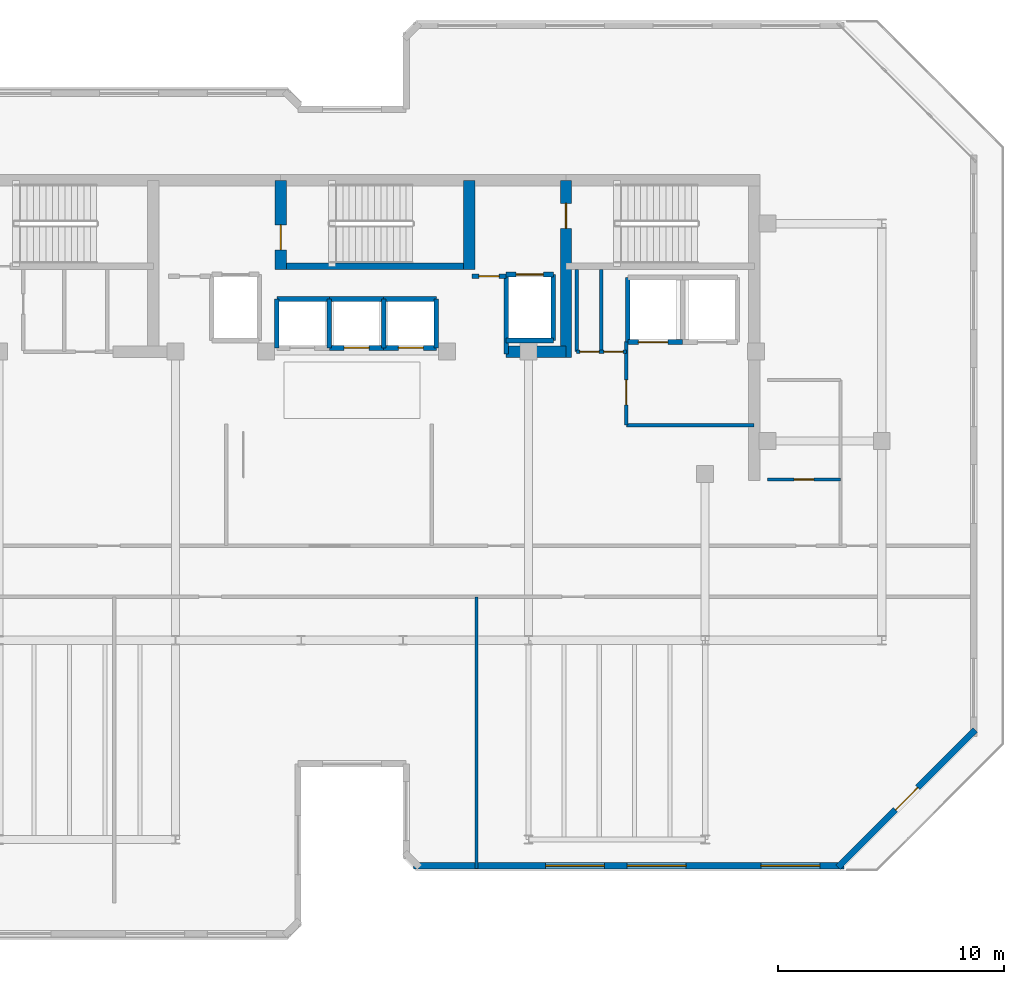
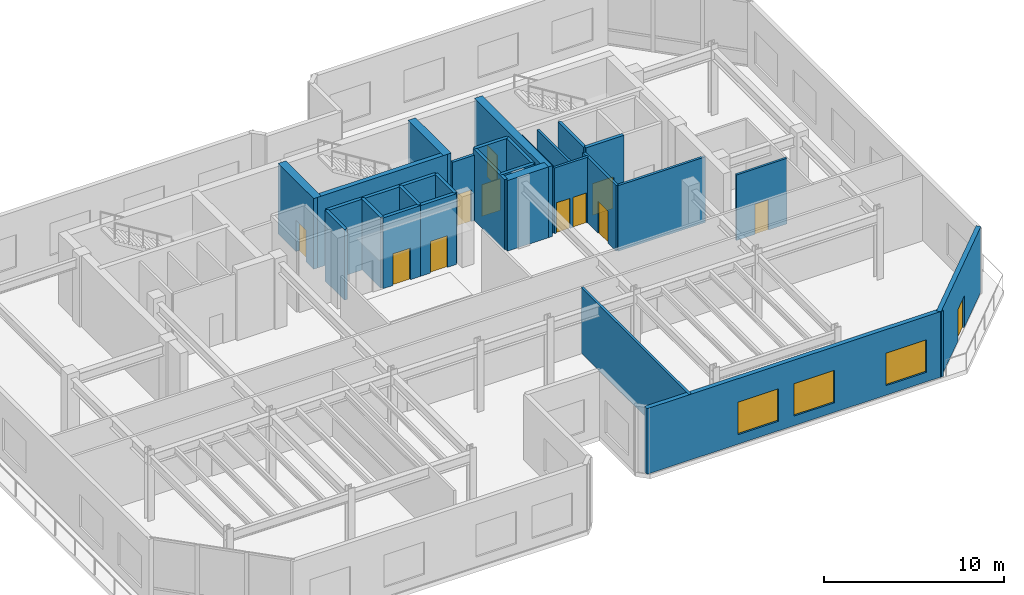
# One storey, part 7 of 12: 30 walls, 12 doors, 3 windows, 15 openings.
"""IFC4 building model written with IfcOpenShell, lengths in metres."""

from ifc_helpers import new_model, si_unit, direction, frame, frame_2d, origin, place, context, subcontext, project, spatial, rectangle, extrude, material, layer, layer_set, type_object, element, fill, save


model = new_model("IFC4")

# Units and contexts
model_context = context("Model", 3, precision=1e-05, world=origin(), true_north=direction((0.0, 1.0)))
body_context = subcontext(model_context, "Body", "Model", "MODEL_VIEW")
ifc_project = project(units=[si_unit("LENGTHUNIT", "METRE"), si_unit("AREAUNIT", "SQUARE_METRE"), si_unit("VOLUMEUNIT", "CUBIC_METRE"), si_unit("PLANEANGLEUNIT", "RADIAN"), si_unit("MASSUNIT", "GRAM", prefix="KILO")], contexts=[model_context])

# Site, building, storey
site_placement = place(None, origin())
site = spatial("IfcSite", under=ifc_project, at=site_placement, CompositionType="ELEMENT")
building_placement = place(site_placement, origin())
building = spatial("IfcBuilding", under=site, at=building_placement, Name="Kestravale Grand Hotel", CompositionType="ELEMENT")
storey_placement = place(building_placement, frame((0.0, 0.0, 306.60009765625)))
storey = spatial("IfcBuildingStorey", under=building, at=storey_placement, Name="L76", CompositionType="ELEMENT", Elevation=306.60009765625)

# Wall
ifc_material_1 = material(Name="Concrete f'c 50 MPa", Category="concrete")
ifc_layer_1 = layer(ifc_material_1, 0.5)
ifc_layer_set_1 = layer_set([ifc_layer_1], Name="EW-CORE-500")
wall_type_1 = type_object("IfcWallType", Name="EW-CORE-500", PredefinedType="SHEAR", material=ifc_layer_set_1)
wall_1_placement = place(storey_placement, frame((45.81005859375, 32.75, 0.0), z_axis=(0.0, 0.0, 1.0), x_axis=(1.0, 0.0, 0.0)))
element("IfcWall", 1, at=wall_1_placement, inside=storey, type_object=wall_type_1, Name="L76 core shear wall S2", PredefinedType="SHEAR", context=body_context, shape_type="SweptSolid", body=[
    extrude(rectangle(XDim=2.639892578125, YDim=0.5, at=frame_2d((1.31982421875, 0.0))), origin(), (0.0, 0.0, 1.0), 4.7998046875),
])

# Wall, opening, door
wall_2_placement = place(storey_placement, frame((35.85009765625, 36.3701171875, 0.0), z_axis=(0.0, 0.0, 1.0), x_axis=(0.0, 1.0, 0.0)))
wall_2 = element("IfcWall", 2, at=wall_2_placement, inside=storey, type_object=wall_type_1, Name="L76 core shear wall X2", PredefinedType="SHEAR", context=body_context, shape_type="SweptSolid", body=[
    extrude(rectangle(XDim=3.949951171875, YDim=0.5, at=frame_2d((1.97509765625, 0.0))), origin(), (0.0, 0.0, 1.0), 4.7998046875),
])
opening_1_placement = place(wall_2_placement, frame((0.8798828125, 0.0, 0.0)))
opening_1 = element("IfcOpeningElement", 3, at=opening_1_placement, cuts=wall_2, Name="Opening D-ST-1100", PredefinedType="OPENING", context=body_context, shape_type="SweptSolid", body=[
    extrude(rectangle(XDim=1.10009765625, YDim=2.14990234375, at=frame_2d((0.550048828125, 1.074951171875))), frame((0.0, 0.260009765625, 0.0), z_axis=(0.0, -1.0, 0.0), x_axis=(1.0, 0.0, 0.0)), (0.0, 0.0, 1.0), 0.52001953125),
])
ifc_material_2 = material(Name="Galvanised 90-minute fire-rated steel stair door", Category="steel")
door_type_1 = type_object("IfcDoorType", Name="D-ST-1100", OperationType="NOTDEFINED", PredefinedType="DOOR", material=ifc_material_2)
door_1_placement = place(opening_1_placement, origin())
door_1 = element("IfcDoor", 4, at=door_1_placement, inside=storey, type_object=door_type_1, Name="L76 Stair ST-2 FSAE fire door", OperationType="SINGLE_SWING_RIGHT", OverallHeight=2.14990234375, OverallWidth=1.10009765625, PredefinedType="DOOR", context=body_context, shape_type="SweptSolid", body=[
    extrude(rectangle(XDim=1.10009765625, YDim=2.14990234375, at=frame_2d((0.550048828125, 1.074951171875))), frame((0.0, 0.02490234375, 0.0), z_axis=(0.0, -1.0, 0.0), x_axis=(1.0, 0.0, 0.0)), (0.0, 0.0, 1.0), 0.050048828125),
])
fill(opening_1, door_1)

# Wall
wall_3_placement = place(storey_placement, frame((44.179931640625, 36.3701171875, 0.0), z_axis=(0.0, 0.0, 1.0), x_axis=(0.0, 1.0, 0.0)))
element("IfcWall", 5, at=wall_3_placement, inside=storey, type_object=wall_type_1, Name="L76 core shear wall X3", PredefinedType="SHEAR", context=body_context, shape_type="SweptSolid", body=[
    extrude(rectangle(XDim=3.949951171875, YDim=0.5, at=frame_2d((1.97509765625, 0.0))), origin(), (0.0, 0.0, 1.0), 4.7998046875),
])

# Wall, opening, door
wall_4_placement = place(storey_placement, frame((48.449951171875, 32.5, 0.0), z_axis=(0.0, 0.0, 1.0), x_axis=(0.0, 1.0, 0.0)))
wall_4 = element("IfcWall", 6, at=wall_4_placement, inside=storey, type_object=wall_type_1, Name="L76 core shear wall X4", PredefinedType="SHEAR", context=body_context, shape_type="SweptSolid", body=[
    extrude(rectangle(XDim=7.820068359375, YDim=0.5, at=frame_2d((3.91015625, 0.0))), origin(), (0.0, 0.0, 1.0), 4.7998046875),
])
opening_2_placement = place(wall_4_placement, frame((5.699951171875, 0.0, 0.0)))
opening_2 = element("IfcOpeningElement", 7, at=opening_2_placement, cuts=wall_4, Name="Opening D-ST-1100", PredefinedType="OPENING", context=body_context, shape_type="SweptSolid", body=[
    extrude(rectangle(XDim=1.10009765625, YDim=2.14990234375, at=frame_2d((0.550048828125, 1.074951171875))), frame((0.0, 0.260009765625, 0.0), z_axis=(0.0, -1.0, 0.0), x_axis=(1.0, 0.0, 0.0)), (0.0, 0.0, 1.0), 0.52001953125),
])
door_2_placement = place(opening_2_placement, origin())
door_2 = element("IfcDoor", 8, at=door_2_placement, inside=storey, type_object=door_type_1, Name="L76 Stair ST-3 FSAE fire door", OperationType="SINGLE_SWING_RIGHT", OverallHeight=2.14990234375, OverallWidth=1.10009765625, PredefinedType="DOOR", context=body_context, shape_type="SweptSolid", body=[
    extrude(rectangle(XDim=1.10009765625, YDim=2.14990234375, at=frame_2d((0.550048828125, 1.074951171875))), frame((0.0, 0.02490234375, 0.0), z_axis=(0.0, -1.0, 0.0), x_axis=(1.0, 0.0, 0.0)), (0.0, 0.0, 1.0), 0.050048828125),
])
fill(opening_2, door_2)

# Wall, openings, windows
ifc_material_3 = material(Name="Precast concrete f'c 45 MPa", Category="concrete")
ifc_layer_2 = layer(ifc_material_3, 0.280029296875)
ifc_layer_set_2 = layer_set([ifc_layer_2], Name="EW-PREC-280")
wall_type_2 = type_object("IfcWallType", Name="EW-PREC-280", PredefinedType="SOLIDWALL", material=ifc_layer_set_2)
wall_5_placement = place(storey_placement, frame((41.7099609375, 10.0400390625, 0.0), z_axis=(0.0, 0.0, 1.0), x_axis=(1.0, 0.0, 0.0)))
wall_5 = element("IfcWall", 9, at=wall_5_placement, inside=storey, type_object=wall_type_2, Name="L76 fluted precast facade wall 7", PredefinedType="SOLIDWALL", context=body_context, shape_type="SweptSolid", body=[
    extrude(rectangle(XDim=19.030029296875, YDim=0.280029296875, at=frame_2d((9.51513671875, 0.0))), origin(), (0.0, 0.0, 1.0), 4.449951171875),
])
opening_3_placement = place(wall_5_placement, frame((5.836181640625, 0.0, 0.64990234375)))
opening_3 = element("IfcOpeningElement", 10, at=opening_3_placement, cuts=wall_5, Name="Opening W-SKY-2600", PredefinedType="OPENING", context=body_context, shape_type="SweptSolid", body=[
    extrude(rectangle(XDim=2.60009765625, YDim=2.199951171875, at=frame_2d((1.300048828125, 1.10009765625))), frame((0.0, 0.14990234375, 0.0), z_axis=(0.0, -1.0, 0.0), x_axis=(1.0, 0.0, 0.0)), (0.0, 0.0, 1.0), 0.300048828125),
])
opening_4_placement = place(wall_5_placement, frame((9.443603515625, 0.0, 0.64990234375)))
opening_4 = element("IfcOpeningElement", 11, at=opening_4_placement, cuts=wall_5, Name="Opening W-SKY-2600", PredefinedType="OPENING", context=body_context, shape_type="SweptSolid", body=[
    extrude(rectangle(XDim=2.60009765625, YDim=2.199951171875, at=frame_2d((1.300048828125, 1.10009765625))), frame((0.0, 0.14990234375, 0.0), z_axis=(0.0, -1.0, 0.0), x_axis=(1.0, 0.0, 0.0)), (0.0, 0.0, 1.0), 0.300048828125),
])
opening_5_placement = place(wall_5_placement, frame((15.351318359375, 0.0, 0.64990234375)))
opening_5 = element("IfcOpeningElement", 12, at=opening_5_placement, cuts=wall_5, Name="Opening W-SKY-2600", PredefinedType="OPENING", context=body_context, shape_type="SweptSolid", body=[
    extrude(rectangle(XDim=2.60009765625, YDim=2.199951171875, at=frame_2d((1.300048828125, 1.10009765625))), frame((0.0, 0.14990234375, 0.0), z_axis=(0.0, -1.0, 0.0), x_axis=(1.0, 0.0, 0.0)), (0.0, 0.0, 1.0), 0.300048828125),
])
ifc_material_4 = material(Name="Insulated low-E double glazing in aluminium frame", Category="aluminium")
window_type = type_object("IfcWindowType", Name="W-SKY-2600", PartitioningType="TRIPLE_PANEL_VERTICAL", PredefinedType="WINDOW", material=ifc_material_4)
window_1_placement = place(opening_3_placement, origin())
window_1 = element("IfcWindow", 13, at=window_1_placement, inside=storey, type_object=window_type, Name="L76 exterior window 7.1", OverallHeight=2.199951171875, OverallWidth=2.60009765625, PartitioningType="SINGLE_PANEL", PredefinedType="WINDOW", context=body_context, shape_type="SweptSolid", body=[
    extrude(rectangle(XDim=2.60009765625, YDim=2.199951171875, at=frame_2d((1.300048828125, 1.10009765625))), frame((0.0, 0.030029296875, 0.0), z_axis=(0.0, -1.0, 0.0), x_axis=(1.0, 0.0, 0.0)), (0.0, 0.0, 1.0), 0.06005859375),
])
fill(opening_3, window_1)
window_2_placement = place(opening_4_placement, origin())
window_2 = element("IfcWindow", 14, at=window_2_placement, inside=storey, type_object=window_type, Name="L76 exterior window 7.2", OverallHeight=2.199951171875, OverallWidth=2.60009765625, PartitioningType="SINGLE_PANEL", PredefinedType="WINDOW", context=body_context, shape_type="SweptSolid", body=[
    extrude(rectangle(XDim=2.60009765625, YDim=2.199951171875, at=frame_2d((1.300048828125, 1.10009765625))), frame((0.0, 0.030029296875, 0.0), z_axis=(0.0, -1.0, 0.0), x_axis=(1.0, 0.0, 0.0)), (0.0, 0.0, 1.0), 0.06005859375),
])
fill(opening_4, window_2)
window_3_placement = place(opening_5_placement, origin())
window_3 = element("IfcWindow", 15, at=window_3_placement, inside=storey, type_object=window_type, Name="L76 exterior window 7.3", OverallHeight=2.199951171875, OverallWidth=2.60009765625, PartitioningType="SINGLE_PANEL", PredefinedType="WINDOW", context=body_context, shape_type="SweptSolid", body=[
    extrude(rectangle(XDim=2.60009765625, YDim=2.199951171875, at=frame_2d((1.300048828125, 1.10009765625))), frame((0.0, 0.030029296875, 0.0), z_axis=(0.0, -1.0, 0.0), x_axis=(1.0, 0.0, 0.0)), (0.0, 0.0, 1.0), 0.06005859375),
])
fill(opening_5, window_3)

# Wall, opening, door
wall_6_placement = place(storey_placement, frame((60.47265625, 9.970703125, 0.0), z_axis=(0.0, 0.0, 1.0), x_axis=(0.707106781187, 0.707106781187, 0.0)))
wall_6 = element("IfcWall", 16, at=wall_6_placement, inside=storey, type_object=wall_type_2, Name="L76 fluted precast facade wall 8", PredefinedType="SOLIDWALL", context=body_context, shape_type="SweptSolid", body=[
    extrude(rectangle(XDim=8.5654296875, YDim=0.280029296875, at=frame_2d((4.28271484375, 0.0))), origin(), (0.0, 0.0, 1.0), 4.449951171875),
])
opening_6_placement = place(wall_6_placement, frame((3.582763671875, 0.0, 0.0)))
opening_6 = element("IfcOpeningElement", 17, at=opening_6_placement, cuts=wall_6, Name="Opening D-TERR-1400", PredefinedType="OPENING", context=body_context, shape_type="SweptSolid", body=[
    extrude(rectangle(XDim=1.39990234375, YDim=2.14990234375, at=frame_2d((0.699951171875, 1.074951171875))), frame((0.0, 0.14990234375, 0.0), z_axis=(0.0, -1.0, 0.0), x_axis=(1.0, 0.0, 0.0)), (0.0, 0.0, 1.0), 0.300048828125),
])
ifc_material_5 = material(Name="Insulated glazed champagne-bronze aluminium door", Category="aluminium")
door_type_2 = type_object("IfcDoorType", Name="D-TERR-1400", OperationType="NOTDEFINED", PredefinedType="DOOR", material=ifc_material_5)
door_3_placement = place(opening_6_placement, origin())
door_3 = element("IfcDoor", 18, at=door_3_placement, inside=storey, type_object=door_type_2, Name="L76 outdoor garden terrace door", OperationType="DOUBLE_DOOR_SINGLE_SWING", OverallHeight=2.14990234375, OverallWidth=1.39990234375, PredefinedType="DOOR", context=body_context, shape_type="SweptSolid", body=[
    extrude(rectangle(XDim=1.39990234375, YDim=2.14990234375, at=frame_2d((0.699951171875, 1.074951171875))), frame((0.0, 0.02490234375, 0.0), z_axis=(0.0, -1.0, 0.0), x_axis=(1.0, 0.0, 0.0)), (0.0, 0.0, 1.0), 0.050048828125),
])
fill(opening_6, door_3)

# Wall
ifc_material_6 = material(Name="Concrete f'c 45 MPa", Category="concrete")
ifc_layer_3 = layer(ifc_material_6, 0.300048828125)
ifc_layer_set_3 = layer_set([ifc_layer_3], Name="EW-STAIR-300")
wall_type_3 = type_object("IfcWallType", Name="EW-STAIR-300", PredefinedType="SHEAR", material=ifc_layer_set_3)
wall_7_placement = place(storey_placement, frame((35.85009765625, 36.52001953125, 0.0), z_axis=(0.0, 0.0, 1.0), x_axis=(1.0, 0.0, 0.0)))
element("IfcWall", 19, at=wall_7_placement, inside=storey, type_object=wall_type_3, Name="L76 stair enclosure shear wall SST2", PredefinedType="SHEAR", context=body_context, shape_type="SweptSolid", body=[
    extrude(rectangle(XDim=8.329833984375, YDim=0.300048828125, at=frame_2d((4.1650390625, 0.0))), origin(), (0.0, 0.0, 1.0), 4.7998046875),
])

# Wall, opening, door
ifc_material_7 = material(Name="Acoustic fire-rated gypsum board partition", Category="other")
ifc_layer_4 = layer(ifc_material_7, 0.159912109375)
ifc_layer_set_4 = layer_set([ifc_layer_4], Name="IW-CORR-160")
wall_type_4 = type_object("IfcWallType", Name="IW-CORR-160", PredefinedType="PARTITIONING", material=ifc_layer_set_4)
wall_8_placement = place(storey_placement, frame((51.1201171875, 29.5, 0.0), z_axis=(0.0, 0.0, 1.0), x_axis=(0.0, 1.0, 0.0)))
wall_8 = element("IfcWall", 20, at=wall_8_placement, inside=storey, type_object=wall_type_4, Name="W-L76-SVCLOB-W", PredefinedType="PARTITIONING", context=body_context, shape_type="SweptSolid", body=[
    extrude(rectangle(XDim=3.699951171875, YDim=0.159912109375, at=frame_2d((1.85009765625, 0.0))), origin(), (0.0, 0.0, 1.0), 4.449951171875),
])
opening_7_placement = place(wall_8_placement, frame((0.89990234375, 0.0, 0.0)))
opening_7 = element("IfcOpeningElement", 21, at=opening_7_placement, cuts=wall_8, Name="Opening D-CORR-1100", PredefinedType="OPENING", context=body_context, shape_type="SweptSolid", body=[
    extrude(rectangle(XDim=1.10009765625, YDim=2.14990234375, at=frame_2d((0.550048828125, 1.074951171875))), frame((0.0, 0.08984375, 0.0), z_axis=(0.0, -1.0, 0.0), x_axis=(1.0, 0.0, 0.0)), (0.0, 0.0, 1.0), 0.179931640625),
])
ifc_material_8 = material(Name="Single-leaf service vestibule fire door", Category="steel")
door_type_3 = type_object("IfcDoorType", Name="D-CORR-1100", OperationType="NOTDEFINED", PredefinedType="DOOR", material=ifc_material_8)
door_4_placement = place(opening_7_placement, origin())
door_4 = element("IfcDoor", 22, at=door_4_placement, inside=storey, type_object=door_type_3, Name="L76 service lift lobby door", OperationType="SINGLE_SWING_LEFT", OverallHeight=2.14990234375, OverallWidth=1.10009765625, PredefinedType="DOOR", context=body_context, shape_type="SweptSolid", body=[
    extrude(rectangle(XDim=1.10009765625, YDim=2.14990234375, at=frame_2d((0.550048828125, 1.074951171875))), frame((0.0, 0.02490234375, 0.0), z_axis=(0.0, -1.0, 0.0), x_axis=(1.0, 0.0, 0.0)), (0.0, 0.0, 1.0), 0.050048828125),
])
fill(opening_7, door_4)

# Wall
wall_9_placement = place(storey_placement, frame((51.1201171875, 29.5, 0.0), z_axis=(0.0, 0.0, 1.0), x_axis=(1.0, 0.0, 0.0)))
element("IfcWall", 23, at=wall_9_placement, inside=storey, type_object=wall_type_4, Name="L76 service lift lobby wall", PredefinedType="PARTITIONING", context=body_context, shape_type="SweptSolid", body=[
    extrude(rectangle(XDim=5.6298828125, YDim=0.159912109375, at=frame_2d((2.81494140625, 0.0))), origin(), (0.0, 0.0, 1.0), 4.449951171875),
])

# Wall, openings, doors
wall_10_placement = place(storey_placement, frame((48.919921875, 32.75, 0.0), z_axis=(0.0, 0.0, 1.0), x_axis=(1.0, 0.0, 0.0)))
wall_10 = element("IfcWall", 24, at=wall_10_placement, inside=storey, type_object=wall_type_4, Name="W-L76-CES", PredefinedType="PARTITIONING", context=body_context, shape_type="SweptSolid", body=[
    extrude(rectangle(XDim=2.2001953125, YDim=0.159912109375, at=frame_2d((1.10009765625, 0.0))), origin(), (0.0, 0.0, 1.0), 4.449951171875),
])
opening_8_placement = place(wall_10_placement, frame((0.139892578125, 0.0, 0.0)))
opening_8 = element("IfcOpeningElement", 25, at=opening_8_placement, cuts=wall_10, Name="Opening D-SH-860", PredefinedType="OPENING", context=body_context, shape_type="SweptSolid", body=[
    extrude(rectangle(XDim=0.860107421875, YDim=2.050048828125, at=frame_2d((0.43017578125, 1.02490234375))), frame((0.0, 0.08984375, 0.0), z_axis=(0.0, -1.0, 0.0), x_axis=(1.0, 0.0, 0.0)), (0.0, 0.0, 1.0), 0.179931640625),
])
opening_9_placement = place(wall_10_placement, frame((1.199951171875, 0.0, 0.0)))
opening_9 = element("IfcOpeningElement", 26, at=opening_9_placement, cuts=wall_10, Name="Opening D-SH-860", PredefinedType="OPENING", context=body_context, shape_type="SweptSolid", body=[
    extrude(rectangle(XDim=0.860107421875, YDim=2.050048828125, at=frame_2d((0.43017578125, 1.02490234375))), frame((0.0, 0.08984375, 0.0), z_axis=(0.0, -1.0, 0.0), x_axis=(1.0, 0.0, 0.0)), (0.0, 0.0, 1.0), 0.179931640625),
])
ifc_material_9 = material(Name="Galvanised 90-minute riser fire door", Category="steel")
door_type_4 = type_object("IfcDoorType", Name="D-SH-860", OperationType="NOTDEFINED", PredefinedType="DOOR", material=ifc_material_9)
door_5_placement = place(opening_8_placement, origin())
door_5 = element("IfcDoor", 27, at=door_5_placement, inside=storey, type_object=door_type_4, Name="L76 CSTO1 door", OperationType="SINGLE_SWING_LEFT", OverallHeight=2.050048828125, OverallWidth=0.860107421875, PredefinedType="DOOR", context=body_context, shape_type="SweptSolid", body=[
    extrude(rectangle(XDim=0.860107421875, YDim=2.050048828125, at=frame_2d((0.43017578125, 1.02490234375))), frame((0.0, 0.02490234375, 0.0), z_axis=(0.0, -1.0, 0.0), x_axis=(1.0, 0.0, 0.0)), (0.0, 0.0, 1.0), 0.050048828125),
])
fill(opening_8, door_5)
door_6_placement = place(opening_9_placement, origin())
door_6 = element("IfcDoor", 28, at=door_6_placement, inside=storey, type_object=door_type_4, Name="L76 CSTO2 door", OperationType="SINGLE_SWING_RIGHT", OverallHeight=2.050048828125, OverallWidth=0.860107421875, PredefinedType="DOOR", context=body_context, shape_type="SweptSolid", body=[
    extrude(rectangle(XDim=0.860107421875, YDim=2.050048828125, at=frame_2d((0.43017578125, 1.02490234375))), frame((0.0, 0.02490234375, 0.0), z_axis=(0.0, -1.0, 0.0), x_axis=(1.0, 0.0, 0.0)), (0.0, 0.0, 1.0), 0.050048828125),
])
fill(opening_9, door_6)

# Wall, opening, door
ifc_material_10 = material(Name="Fire-rated gypsum board on steel studs with mineral wool", Category="steel")
ifc_layer_5 = layer(ifc_material_10, 0.179931640625)
ifc_layer_set_5 = layer_set([ifc_layer_5], Name="IW-FSAE-180")
wall_type_5 = type_object("IfcWallType", Name="IW-FSAE-180", PredefinedType="PARTITIONING", material=ifc_layer_set_5)
wall_11_placement = place(storey_placement, frame((44.300048828125, 36.080078125, 0.0), z_axis=(0.0, 0.0, 1.0), x_axis=(1.0, 0.0, 0.0)))
wall_11 = element("IfcWall", 29, at=wall_11_placement, inside=storey, type_object=wall_type_5, Name="L76 FSAE Lobby 2 smoke barrier", PredefinedType="PARTITIONING", context=body_context, shape_type="SweptSolid", body=[
    extrude(rectangle(XDim=1.5, YDim=0.179931640625, at=frame_2d((0.75, 0.0))), origin(), (0.0, 0.0, 1.0), 4.449951171875),
])
opening_10_placement = place(wall_11_placement, frame((0.300048828125, 0.0, 0.0)))
opening_10 = element("IfcOpeningElement", 30, at=opening_10_placement, cuts=wall_11, Name="Opening D-FSAE-1000", PredefinedType="OPENING", context=body_context, shape_type="SweptSolid", body=[
    extrude(rectangle(XDim=0.89990234375, YDim=2.14990234375, at=frame_2d((0.449951171875, 1.074951171875))), frame((0.0, 0.099853515625, 0.0), z_axis=(0.0, -1.0, 0.0), x_axis=(1.0, 0.0, 0.0)), (0.0, 0.0, 1.0), 0.199951171875),
])
ifc_material_11 = material(Name="Smoke-gasketed FSAE lobby fire door", Category="steel")
door_type_5 = type_object("IfcDoorType", Name="D-FSAE-1000", OperationType="NOTDEFINED", PredefinedType="DOOR", material=ifc_material_11)
door_7_placement = place(opening_10_placement, origin())
door_7 = element("IfcDoor", 31, at=door_7_placement, inside=storey, type_object=door_type_5, Name="L76 FSAE Lobby 2 fire door", OperationType="SINGLE_SWING_LEFT", OverallHeight=2.14990234375, OverallWidth=0.89990234375, PredefinedType="DOOR", context=body_context, shape_type="SweptSolid", body=[
    extrude(rectangle(XDim=0.89990234375, YDim=2.14990234375, at=frame_2d((0.449951171875, 1.074951171875))), frame((0.0, 0.02490234375, 0.0), z_axis=(0.0, -1.0, 0.0), x_axis=(1.0, 0.0, 0.0)), (0.0, 0.0, 1.0), 0.050048828125),
])
fill(opening_10, door_7)

ifc_material_12 = material(Name="Moisture-resistant tile-backer plumbing chase wall", Category="other")
ifc_layer_6 = layer(ifc_material_12, 0.139892578125)
ifc_layer_set_6 = layer_set([ifc_layer_6], Name="IW-PLB-140")
wall_type_6 = type_object("IfcWallType", Name="IW-PLB-140", PredefinedType="PLUMBINGWALL", material=ifc_layer_set_6)
wall_12_placement = place(storey_placement, frame((57.35009765625, 27.10009765625, 0.0), z_axis=(0.0, 0.0, 1.0), x_axis=(1.0, 0.0, 0.0)))
wall_12 = element("IfcWall", 32, at=wall_12_placement, inside=storey, type_object=wall_type_6, Name="W-L76-NE1", PredefinedType="PLUMBINGWALL", context=body_context, shape_type="SweptSolid", body=[
    extrude(rectangle(XDim=3.22998046875, YDim=0.139892578125, at=frame_2d((1.614990234375, 0.0))), origin(), (0.0, 0.0, 1.0), 4.449951171875),
])
opening_11_placement = place(wall_12_placement, frame((1.175048828125, 0.0, 0.0)))
opening_11 = element("IfcOpeningElement", 33, at=opening_11_placement, cuts=wall_12, Name="Opening D-BATH-880", PredefinedType="OPENING", context=body_context, shape_type="SweptSolid", body=[
    extrude(rectangle(XDim=0.8798828125, YDim=2.050048828125, at=frame_2d((0.43994140625, 1.02490234375))), frame((0.0, 0.079833984375, 0.0), z_axis=(0.0, -1.0, 0.0), x_axis=(1.0, 0.0, 0.0)), (0.0, 0.0, 1.0), 0.159912109375),
])
ifc_material_13 = material(Name="Moisture-sealed walnut en-suite bathroom door", Category="wood")
door_type_6 = type_object("IfcDoorType", Name="D-BATH-880", OperationType="NOTDEFINED", PredefinedType="DOOR", material=ifc_material_13)
door_8_placement = place(opening_11_placement, origin())
door_8 = element("IfcDoor", 34, at=door_8_placement, inside=storey, type_object=door_type_6, Name="D-L76-WCM", OperationType="SINGLE_SWING_LEFT", OverallHeight=2.050048828125, OverallWidth=0.8798828125, PredefinedType="DOOR", context=body_context, shape_type="SweptSolid", body=[
    extrude(rectangle(XDim=0.8798828125, YDim=2.050048828125, at=frame_2d((0.43994140625, 1.02490234375))), frame((0.0, 0.02490234375, 0.0), z_axis=(0.0, -1.0, 0.0), x_axis=(1.0, 0.0, 0.0)), (0.0, 0.0, 1.0), 0.050048828125),
])
fill(opening_11, door_8)

# Walls
ifc_material_14 = material(Name="Concrete f'c 45 MPa", Category="concrete")
ifc_layer_7 = layer(ifc_material_14, 0.199951171875)
ifc_layer_set_7 = layer_set([ifc_layer_7], Name="IW-SHAFT-200")
wall_type_7 = type_object("IfcWallType", Name="IW-SHAFT-200", PredefinedType="SHEAR", material=ifc_layer_set_7)
for number, where, z_axis, x_axis, name in (
    (35, (35.679931640625, 32.919921875, 0.0), (0.0, 0.0, 1.0), (0.0, 1.0, 0.0), "L76 PL-X1 west shaft wall"),
    (36, (38.0, 32.919921875, 0.0), (0.0, 0.0, 1.0), (0.0, 1.0, 0.0), "L76 PL-X2 west shaft wall"),
    (37, (40.39990234375, 32.919921875, 0.0), (0.0, 0.0, 1.0), (0.0, 1.0, 0.0), "L76 PL-X3 west shaft wall"),
    (38, (42.719970703125, 32.919921875, 0.0), (0.0, 0.0, 1.0), (0.0, 1.0, 0.0), "L76 PL-X3 east shaft wall"),
):
    element("IfcWall", number, at=place(storey_placement, frame(where, z_axis=z_axis, x_axis=x_axis)), inside=storey, type_object=wall_type_7, Name=name, PredefinedType="SHEAR", context=body_context, shape_type="SweptSolid", body=[
        extrude(rectangle(XDim=2.16015625, YDim=0.199951171875, at=frame_2d((1.080078125, 0.0))), origin(), (0.0, 0.0, 1.0), 4.7998046875),
    ])
wall_13_placement = place(storey_placement, frame((51.179931640625, 33.169921875, 0.0), z_axis=(0.0, 0.0, 1.0), x_axis=(0.0, 1.0, 0.0)))
element("IfcWall", 39, at=wall_13_placement, inside=storey, type_object=wall_type_7, Name="L76 SL-1 west shaft wall", PredefinedType="SHEAR", context=body_context, shape_type="SweptSolid", body=[
    extrude(rectangle(XDim=2.860107421875, YDim=0.199951171875, at=frame_2d((1.43017578125, 0.0))), origin(), (0.0, 0.0, 1.0), 4.7998046875),
])
wall_14_placement = place(storey_placement, frame((45.804931640625, 32.64990234375, 0.0), z_axis=(0.0, 0.0, 1.0), x_axis=(0.0, 1.0, 0.0)))
element("IfcWall", 40, at=wall_14_placement, inside=storey, type_object=wall_type_7, Name="L76 FL-2 west shaft wall", PredefinedType="SHEAR", context=body_context, shape_type="SweptSolid", body=[
    extrude(rectangle(XDim=3.505126953125, YDim=0.199951171875, at=frame_2d((1.75244140625, 0.0))), origin(), (0.0, 0.0, 1.0), 4.7998046875),
])
wall_15_placement = place(storey_placement, frame((47.89501953125, 33.2451171875, 0.0), z_axis=(0.0, 0.0, 1.0), x_axis=(0.0, 1.0, 0.0)))
element("IfcWall", 41, at=wall_15_placement, inside=storey, type_object=wall_type_7, Name="L76 FL-2 east shaft wall", PredefinedType="SHEAR", context=body_context, shape_type="SweptSolid", body=[
    extrude(rectangle(XDim=2.909912109375, YDim=0.199951171875, at=frame_2d((1.455078125, 0.0))), origin(), (0.0, 0.0, 1.0), 4.7998046875),
])
ifc_material_15 = material(Name="Concrete f'c 45 MPa", Category="concrete")
ifc_layer_8 = layer(ifc_material_15, 0.219970703125)
ifc_layer_set_8 = layer_set([ifc_layer_8], Name="IW-SHAFT-220")
wall_type_8 = type_object("IfcWallType", Name="IW-SHAFT-220", PredefinedType="SHEAR", material=ifc_layer_set_8)
wall_16_placement = place(storey_placement, frame((35.679931640625, 35.080078125, 0.0), z_axis=(0.0, 0.0, 1.0), x_axis=(1.0, 0.0, 0.0)))
element("IfcWall", 42, at=wall_16_placement, inside=storey, type_object=wall_type_8, Name="L76 PL-X1 north shaft wall", PredefinedType="SHEAR", context=body_context, shape_type="SweptSolid", body=[
    extrude(rectangle(XDim=2.320068359375, YDim=0.219970703125, at=frame_2d((1.16015625, 0.0))), origin(), (0.0, 0.0, 1.0), 4.7998046875),
])
wall_17_placement = place(storey_placement, frame((38.0, 35.080078125, 0.0), z_axis=(0.0, 0.0, 1.0), x_axis=(1.0, 0.0, 0.0)))
element("IfcWall", 43, at=wall_17_placement, inside=storey, type_object=wall_type_8, Name="L76 PL-X2 north shaft wall", PredefinedType="SHEAR", context=body_context, shape_type="SweptSolid", body=[
    extrude(rectangle(XDim=2.39990234375, YDim=0.219970703125, at=frame_2d((1.199951171875, 0.0))), origin(), (0.0, 0.0, 1.0), 4.7998046875),
])

# Wall, opening, door
wall_18_placement = place(storey_placement, frame((38.0, 32.919921875, 0.0), z_axis=(0.0, 0.0, 1.0), x_axis=(1.0, 0.0, 0.0)))
wall_18 = element("IfcWall", 44, at=wall_18_placement, inside=storey, type_object=wall_type_8, Name="L76 PL-X2 south shaft wall", PredefinedType="SHEAR", context=body_context, shape_type="SweptSolid", body=[
    extrude(rectangle(XDim=2.39990234375, YDim=0.219970703125, at=frame_2d((1.199951171875, 0.0))), origin(), (0.0, 0.0, 1.0), 4.7998046875),
])
opening_12_placement = place(wall_18_placement, frame((0.64990234375, 0.0, 0.0)))
opening_12 = element("IfcOpeningElement", 45, at=opening_12_placement, cuts=wall_18, Name="Opening LD-PAX-1100", PredefinedType="OPENING", context=body_context, shape_type="SweptSolid", body=[
    extrude(rectangle(XDim=1.10009765625, YDim=2.14990234375, at=frame_2d((0.550048828125, 1.074951171875))), frame((0.0, 0.119873046875, 0.0), z_axis=(0.0, -1.0, 0.0), x_axis=(1.0, 0.0, 0.0)), (0.0, 0.0, 1.0), 0.239990234375),
])
ifc_material_16 = material(Name="Champagne-bronze center-opening sliding elevator landing door", Category="steel")
door_type_7 = type_object("IfcDoorType", Name="LD-PAX-1100", OperationType="NOTDEFINED", PredefinedType="DOOR", material=ifc_material_16)
door_9_placement = place(opening_12_placement, origin())
door_9 = element("IfcDoor", 46, at=door_9_placement, inside=storey, type_object=door_type_7, Name="L76 PL-X2 elevator landing sliding door", OperationType="DOUBLE_DOOR_SLIDING", OverallHeight=2.14990234375, OverallWidth=1.10009765625, PredefinedType="DOOR", context=body_context, shape_type="SweptSolid", body=[
    extrude(rectangle(XDim=1.10009765625, YDim=2.14990234375, at=frame_2d((0.550048828125, 1.074951171875))), frame((0.0, 0.02490234375, 0.0), z_axis=(0.0, -1.0, 0.0), x_axis=(1.0, 0.0, 0.0)), (0.0, 0.0, 1.0), 0.050048828125),
])
fill(opening_12, door_9)

# Wall
wall_19_placement = place(storey_placement, frame((40.39990234375, 35.080078125, 0.0), z_axis=(0.0, 0.0, 1.0), x_axis=(1.0, 0.0, 0.0)))
element("IfcWall", 47, at=wall_19_placement, inside=storey, type_object=wall_type_8, Name="L76 PL-X3 north shaft wall", PredefinedType="SHEAR", context=body_context, shape_type="SweptSolid", body=[
    extrude(rectangle(XDim=2.320068359375, YDim=0.219970703125, at=frame_2d((1.16015625, 0.0))), origin(), (0.0, 0.0, 1.0), 4.7998046875),
])

# Wall, opening, door
wall_20_placement = place(storey_placement, frame((40.39990234375, 32.919921875, 0.0), z_axis=(0.0, 0.0, 1.0), x_axis=(1.0, 0.0, 0.0)))
wall_20 = element("IfcWall", 48, at=wall_20_placement, inside=storey, type_object=wall_type_8, Name="L76 PL-X3 south shaft wall", PredefinedType="SHEAR", context=body_context, shape_type="SweptSolid", body=[
    extrude(rectangle(XDim=2.320068359375, YDim=0.219970703125, at=frame_2d((1.16015625, 0.0))), origin(), (0.0, 0.0, 1.0), 4.7998046875),
])
opening_13_placement = place(wall_20_placement, frame((0.64990234375, 0.0, 0.0)))
opening_13 = element("IfcOpeningElement", 49, at=opening_13_placement, cuts=wall_20, Name="Opening LD-PAX-1100", PredefinedType="OPENING", context=body_context, shape_type="SweptSolid", body=[
    extrude(rectangle(XDim=1.10009765625, YDim=2.14990234375, at=frame_2d((0.550048828125, 1.074951171875))), frame((0.0, 0.119873046875, 0.0), z_axis=(0.0, -1.0, 0.0), x_axis=(1.0, 0.0, 0.0)), (0.0, 0.0, 1.0), 0.239990234375),
])
door_10_placement = place(opening_13_placement, origin())
door_10 = element("IfcDoor", 50, at=door_10_placement, inside=storey, type_object=door_type_7, Name="L76 PL-X3 elevator landing sliding door", OperationType="DOUBLE_DOOR_SLIDING", OverallHeight=2.14990234375, OverallWidth=1.10009765625, PredefinedType="DOOR", context=body_context, shape_type="SweptSolid", body=[
    extrude(rectangle(XDim=1.10009765625, YDim=2.14990234375, at=frame_2d((0.550048828125, 1.074951171875))), frame((0.0, 0.02490234375, 0.0), z_axis=(0.0, -1.0, 0.0), x_axis=(1.0, 0.0, 0.0)), (0.0, 0.0, 1.0), 0.050048828125),
])
fill(opening_13, door_10)

wall_21_placement = place(storey_placement, frame((51.179931640625, 33.169921875, 0.0), z_axis=(0.0, 0.0, 1.0), x_axis=(1.0, 0.0, 0.0)))
wall_21 = element("IfcWall", 51, at=wall_21_placement, inside=storey, type_object=wall_type_8, Name="L76 SL-1 south shaft wall", PredefinedType="SHEAR", context=body_context, shape_type="SweptSolid", body=[
    extrude(rectangle(XDim=2.420166015625, YDim=0.219970703125, at=frame_2d((1.2099609375, 0.0))), origin(), (0.0, 0.0, 1.0), 4.7998046875),
])
opening_14_placement = place(wall_21_placement, frame((0.469970703125, 0.0, 0.0)))
opening_14 = element("IfcOpeningElement", 52, at=opening_14_placement, cuts=wall_21, Name="Opening LD-SVC-1300", PredefinedType="OPENING", context=body_context, shape_type="SweptSolid", body=[
    extrude(rectangle(XDim=1.300048828125, YDim=2.14990234375, at=frame_2d((0.64990234375, 1.074951171875))), frame((0.0, 0.119873046875, 0.0), z_axis=(0.0, -1.0, 0.0), x_axis=(1.0, 0.0, 0.0)), (0.0, 0.0, 1.0), 0.239990234375),
])
ifc_material_17 = material(Name="Heavy-duty service sliding elevator landing door", Category="steel")
door_type_8 = type_object("IfcDoorType", Name="LD-SVC-1300", OperationType="NOTDEFINED", PredefinedType="DOOR", material=ifc_material_17)
door_11_placement = place(opening_14_placement, origin())
door_11 = element("IfcDoor", 53, at=door_11_placement, inside=storey, type_object=door_type_8, Name="L76 SL-1 elevator landing sliding door", OperationType="DOUBLE_DOOR_SLIDING", OverallHeight=2.14990234375, OverallWidth=1.300048828125, PredefinedType="DOOR", context=body_context, shape_type="SweptSolid", body=[
    extrude(rectangle(XDim=1.300048828125, YDim=2.14990234375, at=frame_2d((0.64990234375, 1.074951171875))), frame((0.0, 0.02490234375, 0.0), z_axis=(0.0, -1.0, 0.0), x_axis=(1.0, 0.0, 0.0)), (0.0, 0.0, 1.0), 0.050048828125),
])
fill(opening_14, door_11)

wall_22_placement = place(storey_placement, frame((45.804931640625, 36.155029296875, 0.0), z_axis=(0.0, 0.0, 1.0), x_axis=(1.0, 0.0, 0.0)))
wall_22 = element("IfcWall", 54, at=wall_22_placement, inside=storey, type_object=wall_type_8, Name="L76 FL-2 north shaft wall", PredefinedType="SHEAR", context=body_context, shape_type="SweptSolid", body=[
    extrude(rectangle(XDim=2.090087890625, YDim=0.219970703125, at=frame_2d((1.044921875, 0.0))), origin(), (0.0, 0.0, 1.0), 4.7998046875),
])
opening_15_placement = place(wall_22_placement, frame((0.445068359375, 0.0, 0.0)))
opening_15 = element("IfcOpeningElement", 55, at=opening_15_placement, cuts=wall_22, Name="Opening LD-FSAE-1200", PredefinedType="OPENING", context=body_context, shape_type="SweptSolid", body=[
    extrude(rectangle(XDim=1.199951171875, YDim=2.14990234375, at=frame_2d((0.60009765625, 1.074951171875))), frame((0.0, 0.119873046875, 0.0), z_axis=(0.0, -1.0, 0.0), x_axis=(1.0, 0.0, 0.0)), (0.0, 0.0, 1.0), 0.239990234375),
])
ifc_material_18 = material(Name="Stainless fire-service sliding elevator landing door", Category="steel")
door_type_9 = type_object("IfcDoorType", Name="LD-FSAE-1200", OperationType="NOTDEFINED", PredefinedType="DOOR", material=ifc_material_18)
door_12_placement = place(opening_15_placement, origin())
door_12 = element("IfcDoor", 56, at=door_12_placement, inside=storey, type_object=door_type_9, Name="L76 FL-2 elevator landing sliding door", OperationType="DOUBLE_DOOR_SLIDING", OverallHeight=2.14990234375, OverallWidth=1.199951171875, PredefinedType="DOOR", context=body_context, shape_type="SweptSolid", body=[
    extrude(rectangle(XDim=1.199951171875, YDim=2.14990234375, at=frame_2d((0.60009765625, 1.074951171875))), frame((0.0, 0.02490234375, 0.0), z_axis=(0.0, -1.0, 0.0), x_axis=(1.0, 0.0, 0.0)), (0.0, 0.0, 1.0), 0.050048828125),
])
fill(opening_15, door_12)

# Walls
wall_23_placement = place(storey_placement, frame((45.804931640625, 33.2451171875, 0.0), z_axis=(0.0, 0.0, 1.0), x_axis=(1.0, 0.0, 0.0)))
element("IfcWall", 57, at=wall_23_placement, inside=storey, type_object=wall_type_8, Name="L76 FL-2 south shaft wall", PredefinedType="SHEAR", context=body_context, shape_type="SweptSolid", body=[
    extrude(rectangle(XDim=2.090087890625, YDim=0.219970703125, at=frame_2d((1.044921875, 0.0))), origin(), (0.0, 0.0, 1.0), 4.7998046875),
])
ifc_material_19 = material(Name="Double-stud STC 52 acoustic demising partition", Category="other")
ifc_layer_9 = layer(ifc_material_19, 0.14990234375)
ifc_layer_set_9 = layer_set([ifc_layer_9], Name="IW-UNIT-150")
wall_type_9 = type_object("IfcWallType", Name="IW-UNIT-150", PredefinedType="PARTITIONING", material=ifc_layer_set_9)
for number, where, z_axis, x_axis, name in (
    (58, (48.919921875, 32.75, 0.0), (0.0, 0.0, 1.0), (0.0, 1.0, 0.0), "W-L76-CEW"),
    (59, (50.010009765625, 32.75, 0.0), (0.0, 0.0, 1.0), (0.0, 1.0, 0.0), "W-L76-CC1-EM"),
):
    element("IfcWall", number, at=place(storey_placement, frame(where, z_axis=z_axis, x_axis=x_axis)), inside=storey, type_object=wall_type_9, Name=name, PredefinedType="PARTITIONING", context=body_context, shape_type="SweptSolid", body=[
        extrude(rectangle(XDim=3.6201171875, YDim=0.14990234375, at=frame_2d((1.81005859375, 0.0))), origin(), (0.0, 0.0, 1.0), 4.449951171875),
    ])
wall_24_placement = place(storey_placement, frame((44.5, 9.919921875, 0.0), z_axis=(0.0, 0.0, 1.0), x_axis=(0.0, 1.0, 0.0)))
element("IfcWall", 60, at=wall_24_placement, inside=storey, type_object=wall_type_9, Name="W-L76-SD-2", PredefinedType="PARTITIONING", context=body_context, shape_type="SweptSolid", body=[
    extrude(rectangle(XDim=12.0, YDim=0.14990234375, at=frame_2d((6.0, 0.0))), origin(), (0.0, 0.0, 1.0), 4.449951171875),
])

save(model, "model.ifc")
